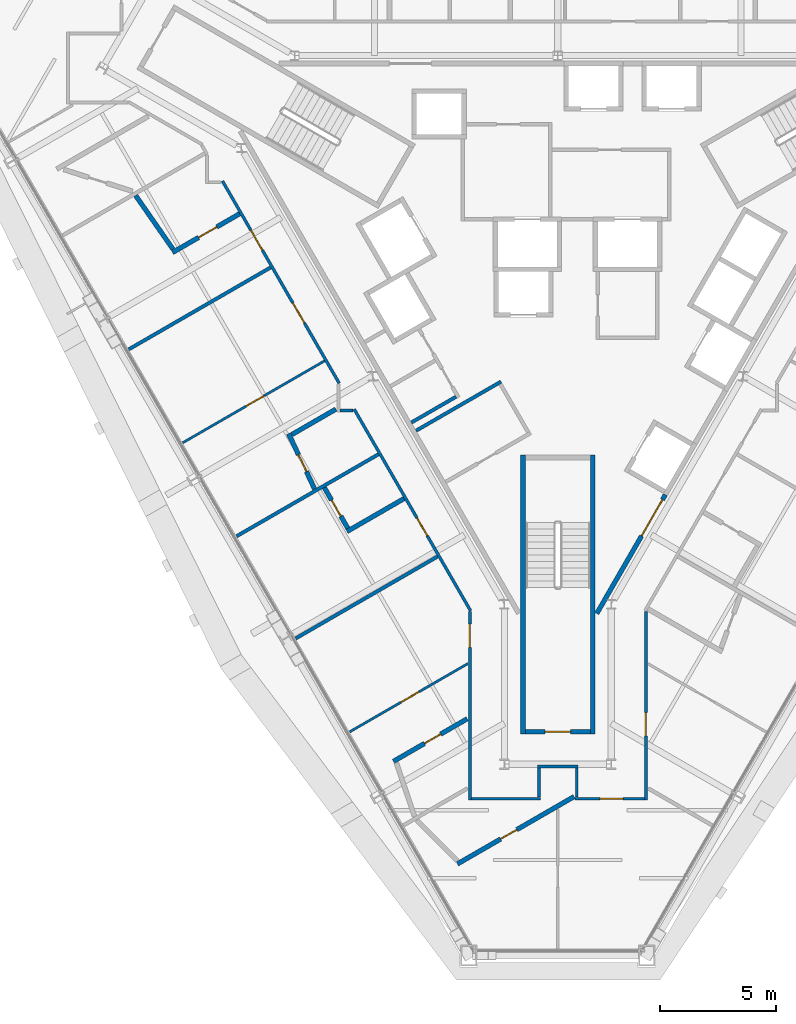
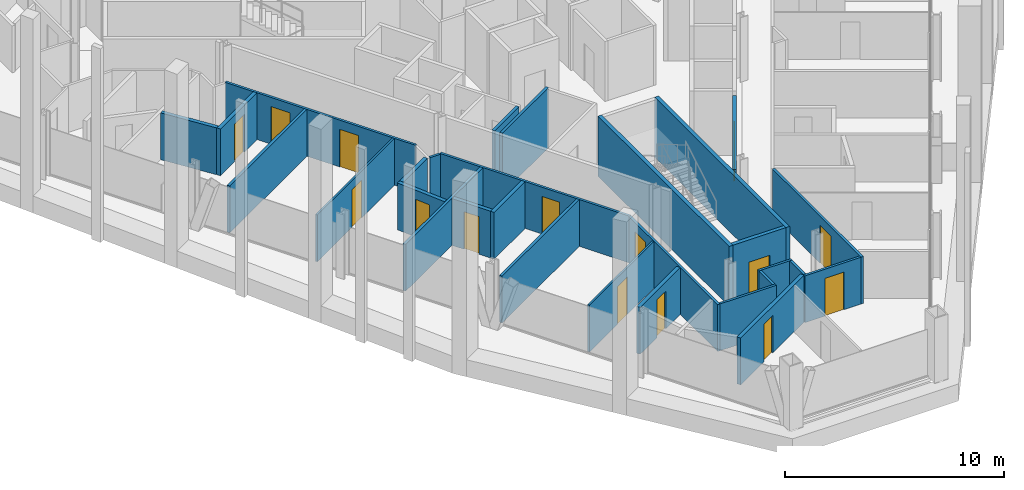
# One storey, part 10 of 17: 29 walls, 15 doors, 15 openings.
"""IFC4 building model written with IfcOpenShell, lengths in metres."""

from ifc_helpers import new_model, si_unit, direction, frame, frame_2d, origin, place, context, subcontext, project, spatial, rectangle, extrude, material, layer, layer_set, type_object, element, fill, save


model = new_model("IFC4")

# Units and contexts
model_context = context("Model", 3, precision=1e-05, world=origin(), true_north=direction((0.0, 1.0)))
body_context = subcontext(model_context, "Body", "Model", "MODEL_VIEW")
ifc_project = project(units=[si_unit("LENGTHUNIT", "METRE"), si_unit("AREAUNIT", "SQUARE_METRE"), si_unit("VOLUMEUNIT", "CUBIC_METRE"), si_unit("PLANEANGLEUNIT", "RADIAN"), si_unit("MASSUNIT", "GRAM", prefix="KILO")], contexts=[model_context])

# Site, building, storey
site_placement = place(None, origin())
site = spatial("IfcSite", under=ifc_project, at=site_placement, CompositionType="ELEMENT")
building_placement = place(site_placement, origin())
building = spatial("IfcBuilding", under=site, at=building_placement, Name="Verrane Prism Tower", CompositionType="ELEMENT")
storey_placement = place(building_placement, frame((0.0, 0.0, 92.800048828125)))
storey = spatial("IfcBuildingStorey", under=building, at=storey_placement, Name="L21", CompositionType="ELEMENT", Elevation=92.800048828125)

# Wall, opening, door
ifc_material_1 = material(Name="Gypsum board partition", Category="other")
ifc_layer_1 = layer(ifc_material_1, 0.199951171875)
ifc_layer_set_1 = layer_set([ifc_layer_1], Name="CW-200 core boundary wall 2 h")
wall_type_1 = type_object("IfcWallType", Name="CW-200 core boundary wall 2 h", PredefinedType="PARTITIONING", material=ifc_layer_set_1)
wall_1_placement = place(storey_placement, frame((1.677490234375, -14.814697265625, 0.0), z_axis=(0.0, 0.0, 1.0), x_axis=(0.49999445743, 0.866028603765, 0.0)))
wall_1 = element("IfcWall", 1, at=wall_1_placement, inside=storey, type_object=wall_type_1, Name="Core boundary wall CW3-003", PredefinedType="PARTITIONING", context=body_context, shape_type="SweptSolid", body=[
    extrude(rectangle(XDim=5.90478515625, YDim=0.199951171875, at=frame_2d((2.952392578125, 0.0))), origin(), (0.0, 0.0, 1.0), 3.349853515625),
])
opening_1_placement = place(wall_1_placement, frame((3.85498046875, 0.0, 0.0)))
opening_1 = element("IfcOpeningElement", 2, at=opening_1_placement, cuts=wall_1, Name="Opening D21517", PredefinedType="OPENING", context=body_context, shape_type="SweptSolid", body=[
    extrude(rectangle(XDim=1.800048828125, YDim=2.10009765625, at=frame_2d((0.89990234375, 1.050048828125))), frame((0.0, 0.10986328125, 0.0), z_axis=(0.0, -1.0, 0.0), x_axis=(1.0, 0.0, 0.0)), (0.0, 0.0, 1.0), 0.219970703125),
])
ifc_material_2 = material(Name="Timber veneered door leaf", Category="wood")
door_type_1 = type_object("IfcDoorType", Name="DR-1800x2100 FD60 double leaf lift lobby", OperationType="NOTDEFINED", PredefinedType="DOOR", material=ifc_material_2)
door_1_placement = place(opening_1_placement, origin())
door_1 = element("IfcDoor", 3, at=door_1_placement, inside=storey, type_object=door_type_1, Name="Lift lobby door D21517", OperationType="DOUBLE_DOOR_SINGLE_SWING", OverallHeight=2.10009765625, OverallWidth=1.800048828125, PredefinedType="DOOR", context=body_context, shape_type="SweptSolid", body=[
    extrude(rectangle(XDim=1.800048828125, YDim=2.10009765625, at=frame_2d((0.89990234375, 1.050048828125))), frame((0.0, 0.02490234375, 0.0), z_axis=(0.0, -1.0, 0.0), x_axis=(1.0, 0.0, 0.0)), (0.0, 0.0, 1.0), 0.050048828125),
])
fill(opening_1, door_1)

ifc_material_3 = material(Name="Concrete C40/50", Category="concrete")
ifc_layer_2 = layer(ifc_material_3, 0.199951171875)
ifc_layer_set_2 = layer_set([ifc_layer_2], Name="CW-200 stair core wall concrete C40/50 3 h")
wall_type_2 = type_object("IfcWallType", Name="CW-200 stair core wall concrete C40/50 3 h", PredefinedType="PARTITIONING", material=ifc_layer_set_2)
wall_2_placement = place(storey_placement, frame((-1.39990234375, -19.89990234375, 0.0), z_axis=(0.0, 0.0, 1.0), x_axis=(1.0, 0.0, 0.0)))
wall_2 = element("IfcWall", 4, at=wall_2_placement, inside=storey, type_object=wall_type_2, Name="Stair 3 enclosure wall", PredefinedType="PARTITIONING", context=body_context, shape_type="SweptSolid", body=[
    extrude(rectangle(XDim=2.7998046875, YDim=0.199951171875, at=frame_2d((1.39990234375, 0.0))), origin(), (0.0, 0.0, 1.0), 3.349853515625),
])
opening_2_placement = place(wall_2_placement, frame((0.85009765625, 0.0, 0.0)))
opening_2 = element("IfcOpeningElement", 5, at=opening_2_placement, cuts=wall_2, Name="Opening D21502", PredefinedType="OPENING", context=body_context, shape_type="SweptSolid", body=[
    extrude(rectangle(XDim=1.10009765625, YDim=2.10009765625, at=frame_2d((0.550048828125, 1.050048828125))), frame((0.0, 0.10986328125, 0.0), z_axis=(0.0, -1.0, 0.0), x_axis=(1.0, 0.0, 0.0)), (0.0, 0.0, 1.0), 0.219970703125),
])
ifc_material_4 = material(Name="Timber veneered door leaf", Category="wood")
door_type_2 = type_object("IfcDoorType", Name="DR-1100x2100 FD90 single leaf stair", OperationType="NOTDEFINED", PredefinedType="DOOR", material=ifc_material_4)
door_2_placement = place(opening_2_placement, origin())
door_2 = element("IfcDoor", 6, at=door_2_placement, inside=storey, type_object=door_type_2, Name="Stair 3 door", OperationType="SINGLE_SWING_LEFT", OverallHeight=2.10009765625, OverallWidth=1.10009765625, PredefinedType="DOOR", context=body_context, shape_type="SweptSolid", body=[
    extrude(rectangle(XDim=1.10009765625, YDim=2.10009765625, at=frame_2d((0.550048828125, 1.050048828125))), frame((0.0, 0.02490234375, 0.0), z_axis=(0.0, -1.0, 0.0), x_axis=(1.0, 0.0, 0.0)), (0.0, 0.0, 1.0), 0.050048828125),
])
fill(opening_2, door_2)

# Walls
for number, where, z_axis, x_axis, name in (
    (7, (1.5, -8.0, 0.0), (0.0, 0.0, 1.0), (0.0, -1.0, 0.0), "Stair 3 enclosure wall"),
    (8, (-1.5, -8.0, 0.0), (0.0, 0.0, 1.0), (0.0, -1.0, 0.0), "Stair 3 enclosure wall"),
):
    element("IfcWall", number, at=place(storey_placement, frame(where, z_axis=z_axis, x_axis=x_axis)), inside=storey, type_object=wall_type_2, Name=name, PredefinedType="PARTITIONING", context=body_context, shape_type="SweptSolid", body=[
        extrude(rectangle(XDim=12.0, YDim=0.199951171875, at=frame_2d((6.0, 0.0))), origin(), (0.0, 0.0, 1.0), 3.349853515625),
    ])

# Wall, opening, door
ifc_material_5 = material(Name="Gypsum board partition", Category="other")
ifc_layer_3 = layer(ifc_material_5, 0.10009765625)
ifc_layer_set_3 = layer_set([ifc_layer_3], Name="PW-100 room partition")
wall_type_3 = type_object("IfcWallType", Name="PW-100 room partition", PredefinedType="PARTITIONING", material=ifc_layer_set_3)
wall_3_placement = place(storey_placement, frame((-10.037109375, -3.940185546875, 0.0), z_axis=(0.0, 0.0, 1.0), x_axis=(-0.866063951978, -0.499933226626, 0.0)))
wall_3 = element("IfcWall", 9, at=wall_3_placement, inside=storey, type_object=wall_type_3, Name="Room partition 018", PredefinedType="PARTITIONING", context=body_context, shape_type="SweptSolid", body=[
    extrude(rectangle(XDim=7.05224609375, YDim=0.10009765625, at=frame_2d((3.526123046875, 0.0))), origin(), (0.0, 0.0, 1.0), 2.613037109375),
])
opening_3_placement = place(wall_3_placement, frame((2.998291015625, 0.0, 0.0)))
opening_3 = element("IfcOpeningElement", 10, at=opening_3_placement, cuts=wall_3, Name="Opening D21031", PredefinedType="OPENING", context=body_context, shape_type="SweptSolid", body=[
    extrude(rectangle(XDim=0.89990234375, YDim=2.10009765625, at=frame_2d((0.449951171875, 1.050048828125))), frame((0.0, 0.06005859375, 0.0), z_axis=(0.0, -1.0, 0.0), x_axis=(1.0, 0.0, 0.0)), (0.0, 0.0, 1.0), 0.1201171875),
])
ifc_material_6 = material(Name="Timber veneered door leaf", Category="wood")
door_type_3 = type_object("IfcDoorType", Name="DR-900x2100 single leaf inner", OperationType="NOTDEFINED", PredefinedType="DOOR", material=ifc_material_6)
door_3_placement = place(opening_3_placement, origin())
door_3 = element("IfcDoor", 11, at=door_3_placement, inside=storey, type_object=door_type_3, Name="Suite Living Room door", OperationType="SINGLE_SWING_RIGHT", OverallHeight=2.10009765625, OverallWidth=0.89990234375, PredefinedType="DOOR", context=body_context, shape_type="SweptSolid", body=[
    extrude(rectangle(XDim=0.89990234375, YDim=2.10009765625, at=frame_2d((0.449951171875, 1.050048828125))), frame((0.0, 0.02490234375, 0.0), z_axis=(0.0, -1.0, 0.0), x_axis=(1.0, 0.0, 0.0)), (0.0, 0.0, 1.0), 0.050048828125),
])
fill(opening_3, door_3)

wall_4_placement = place(storey_placement, frame((-3.87451171875, -16.972412109375, 0.0), z_axis=(0.0, 0.0, 1.0), x_axis=(-0.86602429061, -0.500001928069, 0.0)))
wall_4 = element("IfcWall", 12, at=wall_4_placement, inside=storey, type_object=wall_type_3, Name="Room partition 036", PredefinedType="PARTITIONING", context=body_context, shape_type="SweptSolid", body=[
    extrude(rectangle(XDim=5.873046875, YDim=0.10009765625, at=frame_2d((2.9365234375, 0.0))), origin(), (0.0, 0.0, 1.0), 2.613037109375),
])
opening_4_placement = place(wall_4_placement, frame((2.419189453125, 0.0, 0.0)))
opening_4 = element("IfcOpeningElement", 13, at=opening_4_placement, cuts=wall_4, Name="Opening D21036", PredefinedType="OPENING", context=body_context, shape_type="SweptSolid", body=[
    extrude(rectangle(XDim=0.89990234375, YDim=2.10009765625, at=frame_2d((0.449951171875, 1.050048828125))), frame((0.0, 0.06005859375, 0.0), z_axis=(0.0, -1.0, 0.0), x_axis=(1.0, 0.0, 0.0)), (0.0, 0.0, 1.0), 0.1201171875),
])
door_4_placement = place(opening_4_placement, origin())
door_4 = element("IfcDoor", 14, at=door_4_placement, inside=storey, type_object=door_type_3, Name="Suite Living Room door", OperationType="SINGLE_SWING_LEFT", OverallHeight=2.10009765625, OverallWidth=0.89990234375, PredefinedType="DOOR", context=body_context, shape_type="SweptSolid", body=[
    extrude(rectangle(XDim=0.89990234375, YDim=2.10009765625, at=frame_2d((0.449951171875, 1.050048828125))), frame((0.0, 0.02490234375, 0.0), z_axis=(0.0, -1.0, 0.0), x_axis=(1.0, 0.0, 0.0)), (0.0, 0.0, 1.0), 0.050048828125),
])
fill(opening_4, door_4)

# Wall, openings, doors
ifc_material_7 = material(Name="Gypsum board partition", Category="other")
ifc_layer_4 = layer(ifc_material_7, 0.125)
ifc_layer_set_4 = layer_set([ifc_layer_4], Name="PW-125 corridor wall 1 h")
wall_type_4 = type_object("IfcWallType", Name="PW-125 corridor wall 1 h", PredefinedType="PARTITIONING", material=ifc_layer_set_4)
wall_5_placement = place(storey_placement, frame((-9.40966796875, -4.902099609375, 0.0), z_axis=(0.0, 0.0, 1.0), x_axis=(-0.499971244726, 0.866042005013, 0.0)))
wall_5 = element("IfcWall", 15, at=wall_5_placement, inside=storey, type_object=wall_type_4, Name="Corridor wall 025", PredefinedType="PARTITIONING", context=body_context, shape_type="SweptSolid", body=[
    extrude(rectangle(XDim=10.0517578125, YDim=0.125, at=frame_2d((5.02587890625, 0.0))), origin(), (0.0, 0.0, 1.0), 2.613037109375),
])
opening_5_placement = place(wall_5_placement, frame((6.608154296875, 0.0, 0.0)))
opening_5 = element("IfcOpeningElement", 16, at=opening_5_placement, cuts=wall_5, Name="Opening D21028", PredefinedType="OPENING", context=body_context, shape_type="SweptSolid", body=[
    extrude(rectangle(XDim=1.0, YDim=2.10009765625, at=frame_2d((0.5, 1.050048828125))), frame((0.0, 0.072509765625, 0.0), z_axis=(0.0, -1.0, 0.0), x_axis=(1.0, 0.0, 0.0)), (0.0, 0.0, 1.0), 0.14501953125),
])
opening_6_placement = place(wall_5_placement, frame((2.9892578125, 0.0, 0.0)))
opening_6 = element("IfcOpeningElement", 17, at=opening_6_placement, cuts=wall_5, Name="Opening D21030", PredefinedType="OPENING", context=body_context, shape_type="SweptSolid", body=[
    extrude(rectangle(XDim=1.0, YDim=2.10009765625, at=frame_2d((0.5, 1.050048828125))), frame((0.0, 0.072509765625, 0.0), z_axis=(0.0, -1.0, 0.0), x_axis=(1.0, 0.0, 0.0)), (0.0, 0.0, 1.0), 0.14501953125),
])
ifc_material_8 = material(Name="Timber veneered door leaf", Category="wood")
door_type_4 = type_object("IfcDoorType", Name="DR-1000x2100 FD20 single leaf unit", OperationType="NOTDEFINED", PredefinedType="DOOR", material=ifc_material_8)
door_5_placement = place(opening_5_placement, origin())
door_5 = element("IfcDoor", 18, at=door_5_placement, inside=storey, type_object=door_type_4, Name="Accessible Guest Room door", OperationType="SINGLE_SWING_LEFT", OverallHeight=2.10009765625, OverallWidth=1.0, PredefinedType="DOOR", context=body_context, shape_type="SweptSolid", body=[
    extrude(rectangle(XDim=1.0, YDim=2.10009765625, at=frame_2d((0.5, 1.050048828125))), frame((0.0, 0.02490234375, 0.0), z_axis=(0.0, -1.0, 0.0), x_axis=(1.0, 0.0, 0.0)), (0.0, 0.0, 1.0), 0.050048828125),
])
fill(opening_5, door_5)
door_6_placement = place(opening_6_placement, origin())
door_6 = element("IfcDoor", 19, at=door_6_placement, inside=storey, type_object=door_type_4, Name="Suite Living Room door", OperationType="SINGLE_SWING_LEFT", OverallHeight=2.10009765625, OverallWidth=1.0, PredefinedType="DOOR", context=body_context, shape_type="SweptSolid", body=[
    extrude(rectangle(XDim=1.0, YDim=2.10009765625, at=frame_2d((0.5, 1.050048828125))), frame((0.0, 0.02490234375, 0.0), z_axis=(0.0, -1.0, 0.0), x_axis=(1.0, 0.0, 0.0)), (0.0, 0.0, 1.0), 0.050048828125),
])
fill(opening_6, door_6)

# Wall
wall_6_placement = place(storey_placement, frame((-9.3759765625, -6.071044921875, 0.0), z_axis=(0.0, 0.0, 1.0), x_axis=(1.0, 0.0, 0.0)))
element("IfcWall", 20, at=wall_6_placement, inside=storey, type_object=wall_type_4, Name="Corridor wall 034", PredefinedType="PARTITIONING", context=body_context, shape_type="SweptSolid", body=[
    extrude(rectangle(XDim=0.555908203125, YDim=0.125, at=frame_2d((0.27783203125, 0.0))), origin(), (0.0, 0.0, 1.0), 2.613037109375),
])

# Wall, opening, door
wall_7_placement = place(storey_placement, frame((-3.755859375, -14.694091796875, 0.0), z_axis=(0.0, 0.0, 1.0), x_axis=(-0.500051472265, 0.865995684219, 0.0)))
wall_7 = element("IfcWall", 21, at=wall_7_placement, inside=storey, type_object=wall_type_4, Name="Corridor wall 037", PredefinedType="PARTITIONING", context=body_context, shape_type="SweptSolid", body=[
    extrude(rectangle(XDim=10.02001953125, YDim=0.125, at=frame_2d((5.010009765625, 0.0))), origin(), (0.0, 0.0, 1.0), 2.613037109375),
])
opening_7_placement = place(wall_7_placement, frame((3.71142578125, 0.0, 0.0)))
opening_7 = element("IfcOpeningElement", 22, at=opening_7_placement, cuts=wall_7, Name="Opening D21033", PredefinedType="OPENING", context=body_context, shape_type="SweptSolid", body=[
    extrude(rectangle(XDim=0.89990234375, YDim=2.10009765625, at=frame_2d((0.449951171875, 1.050048828125))), frame((0.0, 0.072509765625, 0.0), z_axis=(0.0, -1.0, 0.0), x_axis=(1.0, 0.0, 0.0)), (0.0, 0.0, 1.0), 0.14501953125),
])
ifc_material_9 = material(Name="Timber veneered door leaf", Category="wood")
door_type_5 = type_object("IfcDoorType", Name="DR-900x2100 FD20 single leaf unit", OperationType="NOTDEFINED", PredefinedType="DOOR", material=ifc_material_9)
door_7_placement = place(opening_7_placement, origin())
door_7 = element("IfcDoor", 23, at=door_7_placement, inside=storey, type_object=door_type_5, Name="Guest Room door", OperationType="SINGLE_SWING_RIGHT", OverallHeight=2.10009765625, OverallWidth=0.89990234375, PredefinedType="DOOR", context=body_context, shape_type="SweptSolid", body=[
    extrude(rectangle(XDim=0.89990234375, YDim=2.10009765625, at=frame_2d((0.449951171875, 1.050048828125))), frame((0.0, 0.02490234375, 0.0), z_axis=(0.0, -1.0, 0.0), x_axis=(1.0, 0.0, 0.0)), (0.0, 0.0, 1.0), 0.050048828125),
])
fill(opening_7, door_7)

wall_8_placement = place(storey_placement, frame((-3.787109375, -22.849609375, 0.0), z_axis=(0.0, 0.0, 1.0), x_axis=(0.0, 1.0, 0.0)))
wall_8 = element("IfcWall", 24, at=wall_8_placement, inside=storey, type_object=wall_type_4, Name="Corridor wall 047", PredefinedType="PARTITIONING", context=body_context, shape_type="SweptSolid", body=[
    extrude(rectangle(XDim=8.12451171875, YDim=0.125, at=frame_2d((4.062255859375, 0.0))), origin(), (0.0, 0.0, 1.0), 2.613037109375),
])
opening_8_placement = place(wall_8_placement, frame((6.577392578125, 0.0, 0.0)))
opening_8 = element("IfcOpeningElement", 25, at=opening_8_placement, cuts=wall_8, Name="Opening D21035", PredefinedType="OPENING", context=body_context, shape_type="SweptSolid", body=[
    extrude(rectangle(XDim=1.0, YDim=2.10009765625, at=frame_2d((0.5, 1.050048828125))), frame((0.0, 0.072509765625, 0.0), z_axis=(0.0, -1.0, 0.0), x_axis=(1.0, 0.0, 0.0)), (0.0, 0.0, 1.0), 0.14501953125),
])
door_8_placement = place(opening_8_placement, origin())
door_8 = element("IfcDoor", 26, at=door_8_placement, inside=storey, type_object=door_type_4, Name="Suite Living Room door", OperationType="SINGLE_SWING_LEFT", OverallHeight=2.10009765625, OverallWidth=1.0, PredefinedType="DOOR", context=body_context, shape_type="SweptSolid", body=[
    extrude(rectangle(XDim=1.0, YDim=2.10009765625, at=frame_2d((0.5, 1.050048828125))), frame((0.0, 0.02490234375, 0.0), z_axis=(0.0, -1.0, 0.0), x_axis=(1.0, 0.0, 0.0)), (0.0, 0.0, 1.0), 0.050048828125),
])
fill(opening_8, door_8)

# Walls
wall_9_placement = place(storey_placement, frame((-3.721923828125, -22.787109375, 0.0), z_axis=(0.0, 0.0, 1.0), x_axis=(1.0, 0.0, 0.0)))
element("IfcWall", 27, at=wall_9_placement, inside=storey, type_object=wall_type_4, Name="Corridor wall 048", PredefinedType="PARTITIONING", context=body_context, shape_type="SweptSolid", body=[
    extrude(rectangle(XDim=2.971435546875, YDim=0.125, at=frame_2d((1.48583984375, 0.0))), origin(), (0.0, 0.0, 1.0), 2.613037109375),
])
wall_10_placement = place(storey_placement, frame((-0.81298828125, -22.721923828125, 0.0), z_axis=(0.0, 0.0, 1.0), x_axis=(0.0, 1.0, 0.0)))
element("IfcWall", 28, at=wall_10_placement, inside=storey, type_object=wall_type_4, Name="Corridor wall 050", PredefinedType="PARTITIONING", context=body_context, shape_type="SweptSolid", body=[
    extrude(rectangle(XDim=1.2568359375, YDim=0.125, at=frame_2d((0.62841796875, 0.0))), origin(), (0.0, 0.0, 1.0), 2.613037109375),
])
wall_11_placement = place(storey_placement, frame((-0.87548828125, -21.39990234375, 0.0), z_axis=(0.0, 0.0, 1.0), x_axis=(1.0, 0.0, 0.0)))
element("IfcWall", 29, at=wall_11_placement, inside=storey, type_object=wall_type_4, Name="Corridor wall 051", PredefinedType="PARTITIONING", context=body_context, shape_type="SweptSolid", body=[
    extrude(rectangle(XDim=1.7509765625, YDim=0.125, at=frame_2d((0.87548828125, 0.0))), origin(), (0.0, 0.0, 1.0), 2.613037109375),
])
wall_12_placement = place(storey_placement, frame((0.81298828125, -22.721923828125, 0.0), z_axis=(0.0, 0.0, 1.0), x_axis=(0.0, 1.0, 0.0)))
element("IfcWall", 30, at=wall_12_placement, inside=storey, type_object=wall_type_4, Name="Corridor wall 054", PredefinedType="PARTITIONING", context=body_context, shape_type="SweptSolid", body=[
    extrude(rectangle(XDim=1.2568359375, YDim=0.125, at=frame_2d((0.62841796875, 0.0))), origin(), (0.0, 0.0, 1.0), 2.613037109375),
])

# Wall, opening, door
wall_13_placement = place(storey_placement, frame((3.721923828125, -22.787109375, 0.0), z_axis=(0.0, 0.0, 1.0), x_axis=(-1.0, 0.0, 0.0)))
wall_13 = element("IfcWall", 31, at=wall_13_placement, inside=storey, type_object=wall_type_4, Name="Corridor wall 055", PredefinedType="PARTITIONING", context=body_context, shape_type="SweptSolid", body=[
    extrude(rectangle(XDim=2.971435546875, YDim=0.125, at=frame_2d((1.48583984375, 0.0))), origin(), (0.0, 0.0, 1.0), 2.613037109375),
])
opening_9_placement = place(wall_13_placement, frame((0.908935546875, 0.0, 0.0)))
opening_9 = element("IfcOpeningElement", 32, at=opening_9_placement, cuts=wall_13, Name="Opening D21038", PredefinedType="OPENING", context=body_context, shape_type="SweptSolid", body=[
    extrude(rectangle(XDim=1.0, YDim=2.10009765625, at=frame_2d((0.5, 1.050048828125))), frame((0.0, 0.072509765625, 0.0), z_axis=(0.0, -1.0, 0.0), x_axis=(1.0, 0.0, 0.0)), (0.0, 0.0, 1.0), 0.14501953125),
])
door_9_placement = place(opening_9_placement, origin())
door_9 = element("IfcDoor", 33, at=door_9_placement, inside=storey, type_object=door_type_4, Name="Suite Living Room door", OperationType="SINGLE_SWING_LEFT", OverallHeight=2.10009765625, OverallWidth=1.0, PredefinedType="DOOR", context=body_context, shape_type="SweptSolid", body=[
    extrude(rectangle(XDim=1.0, YDim=2.10009765625, at=frame_2d((0.5, 1.050048828125))), frame((0.0, 0.02490234375, 0.0), z_axis=(0.0, -1.0, 0.0), x_axis=(1.0, 0.0, 0.0)), (0.0, 0.0, 1.0), 0.050048828125),
])
fill(opening_9, door_9)

wall_14_placement = place(storey_placement, frame((3.787109375, -14.72509765625, 0.0), z_axis=(0.0, 0.0, 1.0), x_axis=(0.0, -1.0, 0.0)))
wall_14 = element("IfcWall", 34, at=wall_14_placement, inside=storey, type_object=wall_type_4, Name="Corridor wall 056", PredefinedType="PARTITIONING", context=body_context, shape_type="SweptSolid", body=[
    extrude(rectangle(XDim=8.12451171875, YDim=0.125, at=frame_2d((4.062255859375, 0.0))), origin(), (0.0, 0.0, 1.0), 2.613037109375),
])
opening_10_placement = place(wall_14_placement, frame((4.35693359375, 0.0, 0.0)))
opening_10 = element("IfcOpeningElement", 35, at=opening_10_placement, cuts=wall_14, Name="Opening D21001", PredefinedType="OPENING", context=body_context, shape_type="SweptSolid", body=[
    extrude(rectangle(XDim=1.0, YDim=2.10009765625, at=frame_2d((0.5, 1.050048828125))), frame((0.0, 0.072509765625, 0.0), z_axis=(0.0, -1.0, 0.0), x_axis=(1.0, 0.0, 0.0)), (0.0, 0.0, 1.0), 0.14501953125),
])
door_10_placement = place(opening_10_placement, origin())
door_10 = element("IfcDoor", 36, at=door_10_placement, inside=storey, type_object=door_type_4, Name="Suite Living Room door", OperationType="SINGLE_SWING_RIGHT", OverallHeight=2.10009765625, OverallWidth=1.0, PredefinedType="DOOR", context=body_context, shape_type="SweptSolid", body=[
    extrude(rectangle(XDim=1.0, YDim=2.10009765625, at=frame_2d((0.5, 1.050048828125))), frame((0.0, 0.02490234375, 0.0), z_axis=(0.0, -1.0, 0.0), x_axis=(1.0, 0.0, 0.0)), (0.0, 0.0, 1.0), 0.050048828125),
])
fill(opening_10, door_10)

# Walls
ifc_material_10 = material(Name="Gypsum board partition", Category="other")
ifc_layer_5 = layer(ifc_material_10, 0.14990234375)
ifc_layer_set_5 = layer_set([ifc_layer_5], Name="PW-150 demising wall 1 h")
wall_type_5 = type_object("IfcWallType", Name="PW-150 demising wall 1 h", PredefinedType="PARTITIONING", material=ifc_layer_set_5)
wall_15_placement = place(storey_placement, frame((-18.466064453125, -3.445068359375, 0.0), z_axis=(0.0, 0.0, 1.0), x_axis=(0.86605175433, 0.499954356739, 0.0)))
element("IfcWall", 37, at=wall_15_placement, inside=storey, type_object=wall_type_5, Name="Demising wall 014", PredefinedType="PARTITIONING", context=body_context, shape_type="SweptSolid", body=[
    extrude(rectangle(XDim=7.047607421875, YDim=0.14990234375, at=frame_2d((3.52392578125, 0.0))), origin(), (0.0, 0.0, 1.0), 2.613037109375),
])
wall_16_placement = place(storey_placement, frame((-13.8232421875, -11.48681640625, 0.0), z_axis=(0.0, 0.0, 1.0), x_axis=(0.865980767462, 0.500077304409, 0.0)))
element("IfcWall", 38, at=wall_16_placement, inside=storey, type_object=wall_type_5, Name="Demising wall 026", PredefinedType="PARTITIONING", context=body_context, shape_type="SweptSolid", body=[
    extrude(rectangle(XDim=7.04736328125, YDim=0.14990234375, at=frame_2d((3.523681640625, 0.0))), origin(), (0.0, 0.0, 1.0), 2.613037109375),
])
wall_17_placement = place(storey_placement, frame((-11.2822265625, -15.88818359375, 0.0), z_axis=(0.0, 0.0, 1.0), x_axis=(0.866031654768, 0.499989172823, 0.0)))
element("IfcWall", 39, at=wall_17_placement, inside=storey, type_object=wall_type_5, Name="Demising wall 030", PredefinedType="PARTITIONING", context=body_context, shape_type="SweptSolid", body=[
    extrude(rectangle(XDim=7.052001953125, YDim=0.14990234375, at=frame_2d((3.52587890625, 0.0))), origin(), (0.0, 0.0, 1.0), 2.613037109375),
])
ifc_material_11 = material(Name="Gypsum board partition", Category="other")
ifc_layer_6 = layer(ifc_material_11, 0.199951171875)
ifc_layer_set_6 = layer_set([ifc_layer_6], Name="PW-200 plumbing wall")
wall_type_6 = type_object("IfcWallType", Name="PW-200 plumbing wall", PredefinedType="PARTITIONING", material=ifc_layer_set_6)
wall_18_placement = place(storey_placement, frame((-18.170166015625, 3.17529296875, 0.0), z_axis=(0.0, 0.0, 1.0), x_axis=(0.571541682724, -0.820573034476, 0.0)))
element("IfcWall", 40, at=wall_18_placement, inside=storey, type_object=wall_type_6, Name="Plumbing wall 015", PredefinedType="PARTITIONING", context=body_context, shape_type="SweptSolid", body=[
    extrude(rectangle(XDim=2.817626953125, YDim=0.199951171875, at=frame_2d((1.40869140625, 0.0))), origin(), (0.0, 0.0, 1.0), 2.613037109375),
])

# Wall, opening, door
wall_19_placement = place(storey_placement, frame((-16.58349609375, 0.722900390625, 0.0), z_axis=(0.0, 0.0, 1.0), x_axis=(0.866001642064, 0.500041154249, 0.0)))
wall_19 = element("IfcWall", 41, at=wall_19_placement, inside=storey, type_object=wall_type_6, Name="Plumbing wall 017", PredefinedType="PARTITIONING", context=body_context, shape_type="SweptSolid", body=[
    extrude(rectangle(XDim=3.337646484375, YDim=0.199951171875, at=frame_2d((1.6689453125, 0.0))), origin(), (0.0, 0.0, 1.0), 2.613037109375),
])
opening_11_placement = place(wall_19_placement, frame((1.300048828125, 0.0, 0.0)))
opening_11 = element("IfcOpeningElement", 42, at=opening_11_placement, cuts=wall_19, Name="Opening D21029", PredefinedType="OPENING", context=body_context, shape_type="SweptSolid", body=[
    extrude(rectangle(XDim=0.89990234375, YDim=2.10009765625, at=frame_2d((0.449951171875, 1.050048828125))), frame((0.0, 0.10986328125, 0.0), z_axis=(0.0, -1.0, 0.0), x_axis=(1.0, 0.0, 0.0)), (0.0, 0.0, 1.0), 0.219970703125),
])
ifc_material_12 = material(Name="Timber veneered door leaf", Category="wood")
door_type_6 = type_object("IfcDoorType", Name="DR-900x2100 single leaf bath", OperationType="NOTDEFINED", PredefinedType="DOOR", material=ifc_material_12)
door_11_placement = place(opening_11_placement, origin())
door_11 = element("IfcDoor", 43, at=door_11_placement, inside=storey, type_object=door_type_6, Name="En-Suite door", OperationType="SINGLE_SWING_LEFT", OverallHeight=2.10009765625, OverallWidth=0.89990234375, PredefinedType="DOOR", context=body_context, shape_type="SweptSolid", body=[
    extrude(rectangle(XDim=0.89990234375, YDim=2.10009765625, at=frame_2d((0.449951171875, 1.050048828125))), frame((0.0, 0.02490234375, 0.0), z_axis=(0.0, -1.0, 0.0), x_axis=(1.0, 0.0, 0.0)), (0.0, 0.0, 1.0), 0.050048828125),
])
fill(opening_11, door_11)

wall_20_placement = place(storey_placement, frame((-11.58544921875, -7.077392578125, 0.0), z_axis=(0.0, 0.0, 1.0), x_axis=(0.425434257814, -0.904989332688, 0.0)))
wall_20 = element("IfcWall", 44, at=wall_20_placement, inside=storey, type_object=wall_type_6, Name="Plumbing wall 028", PredefinedType="PARTITIONING", context=body_context, shape_type="SweptSolid", body=[
    extrude(rectangle(XDim=2.62548828125, YDim=0.199951171875, at=frame_2d((1.312744140625, 0.0))), origin(), (0.0, 0.0, 1.0), 2.613037109375),
])
opening_12_placement = place(wall_20_placement, frame((1.0, 0.0, 0.0)))
opening_12 = element("IfcOpeningElement", 45, at=opening_12_placement, cuts=wall_20, Name="Opening D21032", PredefinedType="OPENING", context=body_context, shape_type="SweptSolid", body=[
    extrude(rectangle(XDim=0.800048828125, YDim=2.10009765625, at=frame_2d((0.39990234375, 1.050048828125))), frame((0.0, 0.10986328125, 0.0), z_axis=(0.0, -1.0, 0.0), x_axis=(1.0, 0.0, 0.0)), (0.0, 0.0, 1.0), 0.219970703125),
])
ifc_material_13 = material(Name="Timber veneered door leaf", Category="wood")
door_type_7 = type_object("IfcDoorType", Name="DR-800x2100 single leaf bath", OperationType="NOTDEFINED", PredefinedType="DOOR", material=ifc_material_13)
door_12_placement = place(opening_12_placement, origin())
door_12 = element("IfcDoor", 46, at=door_12_placement, inside=storey, type_object=door_type_7, Name="En-Suite door", OperationType="SINGLE_SWING_RIGHT", OverallHeight=2.10009765625, OverallWidth=0.800048828125, PredefinedType="DOOR", context=body_context, shape_type="SweptSolid", body=[
    extrude(rectangle(XDim=0.800048828125, YDim=2.10009765625, at=frame_2d((0.39990234375, 1.050048828125))), frame((0.0, 0.02490234375, 0.0), z_axis=(0.0, -1.0, 0.0), x_axis=(1.0, 0.0, 0.0)), (0.0, 0.0, 1.0), 0.050048828125),
])
fill(opening_12, door_12)

# Wall
wall_21_placement = place(storey_placement, frame((-11.44775390625, -7.113037109375, 0.0), z_axis=(0.0, 0.0, 1.0), x_axis=(0.865960673566, 0.500112099272, 0.0)))
element("IfcWall", 47, at=wall_21_placement, inside=storey, type_object=wall_type_6, Name="Plumbing wall 029", PredefinedType="PARTITIONING", context=body_context, shape_type="SweptSolid", body=[
    extrude(rectangle(XDim=2.1875, YDim=0.199951171875, at=frame_2d((1.09375, 0.0))), origin(), (0.0, 0.0, 1.0), 2.613037109375),
])

# Wall, opening, door
wall_22_placement = place(storey_placement, frame((-10.046875, -9.398193359375, 0.0), z_axis=(0.0, 0.0, 1.0), x_axis=(0.499935208997, -0.866062807656, 0.0)))
wall_22 = element("IfcWall", 48, at=wall_22_placement, inside=storey, type_object=wall_type_6, Name="Plumbing wall 031", PredefinedType="PARTITIONING", context=body_context, shape_type="SweptSolid", body=[
    extrude(rectangle(XDim=2.019775390625, YDim=0.199951171875, at=frame_2d((1.009765625, 0.0))), origin(), (0.0, 0.0, 1.0), 2.613037109375),
])
opening_13_placement = place(wall_22_placement, frame((0.6201171875, 0.0, 0.0)))
opening_13 = element("IfcOpeningElement", 49, at=opening_13_placement, cuts=wall_22, Name="Opening D21034", PredefinedType="OPENING", context=body_context, shape_type="SweptSolid", body=[
    extrude(rectangle(XDim=0.800048828125, YDim=2.10009765625, at=frame_2d((0.39990234375, 1.050048828125))), frame((0.0, 0.10986328125, 0.0), z_axis=(0.0, -1.0, 0.0), x_axis=(1.0, 0.0, 0.0)), (0.0, 0.0, 1.0), 0.219970703125),
])
door_13_placement = place(opening_13_placement, origin())
door_13 = element("IfcDoor", 50, at=door_13_placement, inside=storey, type_object=door_type_7, Name="En-Suite door", OperationType="SINGLE_SWING_RIGHT", OverallHeight=2.10009765625, OverallWidth=0.800048828125, PredefinedType="DOOR", context=body_context, shape_type="SweptSolid", body=[
    extrude(rectangle(XDim=0.800048828125, YDim=2.10009765625, at=frame_2d((0.39990234375, 1.050048828125))), frame((0.0, 0.02490234375, 0.0), z_axis=(0.0, -1.0, 0.0), x_axis=(1.0, 0.0, 0.0)), (0.0, 0.0, 1.0), 0.050048828125),
])
fill(opening_13, door_13)

# Wall
wall_23_placement = place(storey_placement, frame((-9.07373046875, -11.283935546875, 0.0), z_axis=(0.0, 0.0, 1.0), x_axis=(0.866197046655, 0.499702587912, 0.0)))
element("IfcWall", 51, at=wall_23_placement, inside=storey, type_object=wall_type_6, Name="Plumbing wall 035", PredefinedType="PARTITIONING", context=body_context, shape_type="SweptSolid", body=[
    extrude(rectangle(XDim=2.837158203125, YDim=0.199951171875, at=frame_2d((1.41845703125, 0.0))), origin(), (0.0, 0.0, 1.0), 2.613037109375),
])

# Wall, opening, door
wall_24_placement = place(storey_placement, frame((-3.8994140625, -19.344970703125, 0.0), z_axis=(0.0, 0.0, 1.0), x_axis=(-0.865971488458, -0.500093372459, 0.0)))
wall_24 = element("IfcWall", 52, at=wall_24_placement, inside=storey, type_object=wall_type_6, Name="Plumbing wall 041", PredefinedType="PARTITIONING", context=body_context, shape_type="SweptSolid", body=[
    extrude(rectangle(XDim=3.665283203125, YDim=0.199951171875, at=frame_2d((1.83251953125, 0.0))), origin(), (0.0, 0.0, 1.0), 2.613037109375),
])
opening_14_placement = place(wall_24_placement, frame((1.3154296875, 0.0, 0.0)))
opening_14 = element("IfcOpeningElement", 53, at=opening_14_placement, cuts=wall_24, Name="Opening D21037", PredefinedType="OPENING", context=body_context, shape_type="SweptSolid", body=[
    extrude(rectangle(XDim=0.800048828125, YDim=2.10009765625, at=frame_2d((0.39990234375, 1.050048828125))), frame((0.0, 0.10986328125, 0.0), z_axis=(0.0, -1.0, 0.0), x_axis=(1.0, 0.0, 0.0)), (0.0, 0.0, 1.0), 0.219970703125),
])
door_14_placement = place(opening_14_placement, origin())
door_14 = element("IfcDoor", 54, at=door_14_placement, inside=storey, type_object=door_type_7, Name="En-Suite door", OperationType="SINGLE_SWING_RIGHT", OverallHeight=2.10009765625, OverallWidth=0.800048828125, PredefinedType="DOOR", context=body_context, shape_type="SweptSolid", body=[
    extrude(rectangle(XDim=0.800048828125, YDim=2.10009765625, at=frame_2d((0.39990234375, 1.050048828125))), frame((0.0, 0.02490234375, 0.0), z_axis=(0.0, -1.0, 0.0), x_axis=(1.0, 0.0, 0.0)), (0.0, 0.0, 1.0), 0.050048828125),
])
fill(opening_14, door_14)

wall_25_placement = place(storey_placement, frame((-4.319580078125, -25.592041015625, 0.0), z_axis=(0.0, 0.0, 1.0), x_axis=(0.86603408909, 0.499984956307, 0.0)))
wall_25 = element("IfcWall", 55, at=wall_25_placement, inside=storey, type_object=wall_type_6, Name="Plumbing wall 046", PredefinedType="PARTITIONING", context=body_context, shape_type="SweptSolid", body=[
    extrude(rectangle(XDim=5.796630859375, YDim=0.199951171875, at=frame_2d((2.8984375, 0.0))), origin(), (0.0, 0.0, 1.0), 2.613037109375),
])
opening_15_placement = place(wall_25_placement, frame((2.14990234375, 0.0, 0.0)))
opening_15 = element("IfcOpeningElement", 56, at=opening_15_placement, cuts=wall_25, Name="Opening D21040", PredefinedType="OPENING", context=body_context, shape_type="SweptSolid", body=[
    extrude(rectangle(XDim=0.800048828125, YDim=2.10009765625, at=frame_2d((0.39990234375, 1.050048828125))), frame((0.0, 0.10986328125, 0.0), z_axis=(0.0, -1.0, 0.0), x_axis=(1.0, 0.0, 0.0)), (0.0, 0.0, 1.0), 0.219970703125),
])
door_15_placement = place(opening_15_placement, origin())
door_15 = element("IfcDoor", 57, at=door_15_placement, inside=storey, type_object=door_type_7, Name="En-Suite door", OperationType="SINGLE_SWING_RIGHT", OverallHeight=2.10009765625, OverallWidth=0.800048828125, PredefinedType="DOOR", context=body_context, shape_type="SweptSolid", body=[
    extrude(rectangle(XDim=0.800048828125, YDim=2.10009765625, at=frame_2d((0.39990234375, 1.050048828125))), frame((0.0, 0.02490234375, 0.0), z_axis=(0.0, -1.0, 0.0), x_axis=(1.0, 0.0, 0.0)), (0.0, 0.0, 1.0), 0.050048828125),
])
fill(opening_15, door_15)

# Walls
ifc_material_14 = material(Name="Gypsum board partition", Category="other")
ifc_layer_7 = layer(ifc_material_14, 0.14990234375)
ifc_layer_set_7 = layer_set([ifc_layer_7], Name="RS-150 riser enclosure wall 1 h")
wall_type_7 = type_object("IfcWallType", Name="RS-150 riser enclosure wall 1 h", PredefinedType="PARTITIONING", material=ifc_layer_set_7)
wall_26_placement = place(storey_placement, frame((-6.306396484375, -6.596923828125, 0.0), z_axis=(0.0, 0.0, 1.0), x_axis=(0.866019272134, 0.50001062018, 0.0)))
element("IfcWall", 58, at=wall_26_placement, inside=storey, type_object=wall_type_7, Name="Riser wall RS3-003", PredefinedType="PARTITIONING", context=body_context, shape_type="SweptSolid", body=[
    extrude(rectangle(XDim=2.224609375, YDim=0.14990234375, at=frame_2d((1.1123046875, 0.0))), origin(), (0.0, 0.0, 1.0), 3.349853515625),
])
wall_27_placement = place(storey_placement, frame((-6.10009765625, -6.945556640625, 0.0), z_axis=(0.0, 0.0, 1.0), x_axis=(0.866038200431, 0.499977834903, 0.0)))
element("IfcWall", 59, at=wall_27_placement, inside=storey, type_object=wall_type_7, Name="Riser wall RS3-004", PredefinedType="PARTITIONING", context=body_context, shape_type="SweptSolid", body=[
    extrude(rectangle(XDim=4.220458984375, YDim=0.14990234375, at=frame_2d((2.1103515625, 0.0))), origin(), (0.0, 0.0, 1.0), 3.349853515625),
])

save(model, "model.ifc")
